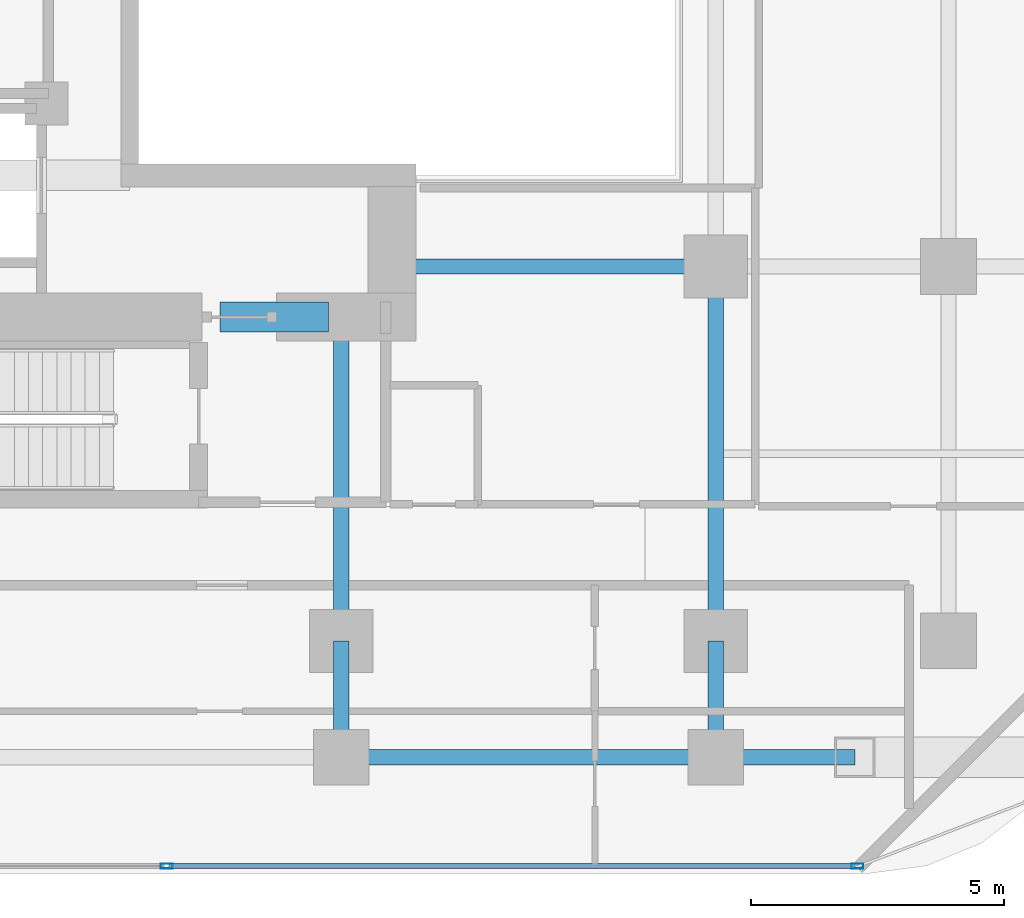
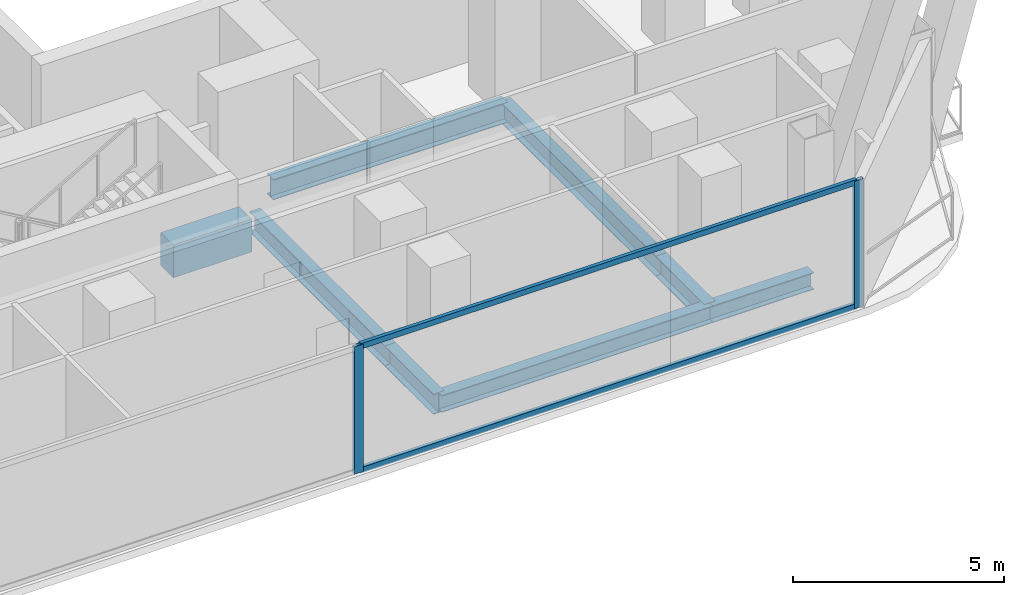
# One storey, part 9 of 32: 8 beams, 4 members, 1 element without a shape of its own.
"""IFC4 building model written with IfcOpenShell, lengths in metres."""

from ifc_helpers import new_model, si_unit, direction, frame, origin, origin_2d, place, context, subcontext, project, spatial, rectangle, hollow_rectangle, i_section, extrude, material, layer, layer_set, material_profile, profile_set, type_object, element, aggregate, save


model = new_model("IFC4")

# Units and contexts
model_context = context("Model", 3, precision=1e-05, world=origin(), true_north=direction((0.0, 1.0)))
body_context = subcontext(model_context, "Body", "Model", "MODEL_VIEW")
ifc_project = project(units=[si_unit("LENGTHUNIT", "METRE"), si_unit("AREAUNIT", "SQUARE_METRE"), si_unit("VOLUMEUNIT", "CUBIC_METRE"), si_unit("PLANEANGLEUNIT", "RADIAN"), si_unit("MASSUNIT", "GRAM", prefix="KILO")], contexts=[model_context])

# Site, building, storey
site_placement = place(None, origin())
site = spatial("IfcSite", under=ifc_project, at=site_placement, CompositionType="ELEMENT")
building_placement = place(site_placement, origin())
building = spatial("IfcBuilding", under=site, at=building_placement, Name="Khorvyn Point Tower", CompositionType="ELEMENT")
storey_placement = place(building_placement, frame((0.0, 0.0, 93.0)))
storey = spatial("IfcBuildingStorey", under=building, at=storey_placement, Name="L23", CompositionType="ELEMENT", Elevation=93.0)

# Curtain wall, members
ifc_material_1 = material(Name="Anodised aluminium 6063-T6 and laminated Low-E glass", Category="aluminium")
ifc_layer = layer(ifc_material_1, 0.18994140625)
ifc_layer_set = layer_set([ifc_layer], Name="Stick-Built Finned Residential Curtain Wall CW-SYS-02")
curtain_wall_type = type_object("IfcCurtainWallType", Name="Stick-Built Finned Residential Curtain Wall CW-SYS-02", PredefinedType="NOTDEFINED", material=ifc_layer_set)
curtain_wall_placement = place(storey_placement, origin())
curtain_wall = element("IfcCurtainWall", 1, at=curtain_wall_placement, inside=storey, type_object=curtain_wall_type, Name="Curtain Wall", PredefinedType="NOTDEFINED")
ifc_material_2 = material(Name="Anodised aluminium 6063-T6", Category="aluminium")
ifc_material_profile_1 = material_profile(ifc_material_2, hollow_rectangle(XDim=0.10009765625, YDim=0.239990234375, WallThickness=0.0048828125, at=origin_2d()))
ifc_profile_set_1 = profile_set([ifc_material_profile_1], Name="Anodised aluminium 6063-T6 ALU-MUL-100x240")
member_type_1 = type_object("IfcMemberType", Name="Anodised Aluminium 6063-T6 Mullion ALU-MUL-100x240", PredefinedType="MULLION", material=ifc_profile_set_1)
member_1_placement = place(storey_placement, frame((17.60009765625, -19.25, 0.0), z_axis=(0.0, 0.0, 1.0), x_axis=(0.0, -1.0, 0.0)))
member_1 = element("IfcMember", 2, at=member_1_placement, type_object=member_type_1, Name="Transom", PredefinedType="MULLION", context=body_context, shape_type="SweptSolid", body=[
    extrude(hollow_rectangle(XDim=0.10009765625, YDim=0.239990234375, WallThickness=0.0048828125, at=origin_2d()), origin(), (0.0, 0.0, 1.0), 3.679931640625),
])
member_2_placement = place(storey_placement, frame((3.949951171875, -19.25, 0.0), z_axis=(0.0, 0.0, 1.0), x_axis=(0.0, -1.0, 0.0)))
member_2 = element("IfcMember", 3, at=member_2_placement, type_object=member_type_1, Name="Transom", PredefinedType="MULLION", context=body_context, shape_type="SweptSolid", body=[
    extrude(hollow_rectangle(XDim=0.10009765625, YDim=0.239990234375, WallThickness=0.0048828125, at=origin_2d()), origin(), (0.0, 0.0, 1.0), 3.679931640625),
])
ifc_material_profile_2 = material_profile(ifc_material_2, hollow_rectangle(XDim=0.10009765625, YDim=0.159912109375, WallThickness=0.00439453125, at=origin_2d()))
ifc_profile_set_2 = profile_set([ifc_material_profile_2], Name="Anodised aluminium 6063-T6 ALU-TRN-100x160")
member_type_2 = type_object("IfcMemberType", Name="Anodised Aluminium 6063-T6 Transom ALU-TRN-100x160", PredefinedType="USERDEFINED", material=ifc_profile_set_2)
member_3_placement = place(storey_placement, frame((17.550048828125, -19.25, 0.050048828125), z_axis=(-1.0, 0.0, 0.0), x_axis=(0.0, -1.0, 0.0)))
member_3 = element("IfcMember", 4, at=member_3_placement, type_object=member_type_2, Name="Transom", ObjectType="TRANSOM", PredefinedType="USERDEFINED", context=body_context, shape_type="SweptSolid", body=[
    extrude(hollow_rectangle(XDim=0.10009765625, YDim=0.159912109375, WallThickness=0.00439453125, at=origin_2d()), origin(), (0.0, 0.0, 1.0), 13.550048828125),
])
member_4_placement = place(storey_placement, frame((17.550048828125, -19.25, 3.6298828125), z_axis=(-1.0, 0.0, 0.0), x_axis=(0.0, -1.0, 0.0)))
member_4 = element("IfcMember", 5, at=member_4_placement, type_object=member_type_2, Name="Transom", ObjectType="TRANSOM", PredefinedType="USERDEFINED", context=body_context, shape_type="SweptSolid", body=[
    extrude(hollow_rectangle(XDim=0.10009765625, YDim=0.159912109375, WallThickness=0.00439453125, at=origin_2d()), origin(), (0.0, 0.0, 1.0), 13.550048828125),
])
aggregate(curtain_wall, [member_1, member_2, member_3, member_4])

# Beams
ifc_material_3 = material(Name="Concrete C50/60", Category="concrete")
ifc_material_profile_3 = material_profile(ifc_material_3, rectangle(XDim=0.60009765625, YDim=0.949951171875, at=origin_2d()))
ifc_profile_set_3 = profile_set([ifc_material_profile_3], Name="Concrete C50/60 RC600x950")
beam_type_1 = type_object("IfcBeamType", Name="Concrete C50/60 Beam RC600x950", PredefinedType="BEAM", material=ifc_profile_set_3)
beam_1_placement = place(storey_placement, frame((5.0, -8.39990234375, -0.695068359375), z_axis=(1.0, 0.0, 0.0), x_axis=(0.0, 1.0, 0.0)))
element("IfcBeam", 6, at=beam_1_placement, inside=storey, type_object=beam_type_1, Name="L23 Core Southeast Portal Coupling Beam", PredefinedType="BEAM", context=body_context, shape_type="SweptSolid", body=[
    extrude(rectangle(XDim=0.60009765625, YDim=0.949951171875, at=origin_2d()), origin(), (0.0, 0.0, 1.0), 2.14990234375),
])
ifc_material_4 = material(Name="Steel S355", Category="steel")
ifc_material_profile_4 = material_profile(ifc_material_4, i_section(OverallWidth=0.300048828125, OverallDepth=0.587890625, WebThickness=0.011962890625, FlangeThickness=0.02001953125, at=origin_2d()))
ifc_profile_set_4 = profile_set([ifc_material_profile_4], Name="Steel S355 H588x300x12x20")
beam_type_2 = type_object("IfcBeamType", Name="Steel S355 Beam H588x300x12x20", PredefinedType="BEAM", material=ifc_profile_set_4)
beam_2_placement = place(storey_placement, frame((8.39990234375, -7.39990234375, -0.513916015625), z_axis=(1.0, 0.0, 0.0), x_axis=(0.0, 1.0, 0.0)))
element("IfcBeam", 7, at=beam_2_placement, inside=storey, type_object=beam_type_2, Name="Beam", PredefinedType="BEAM", context=body_context, shape_type="SweptSolid", body=[
    extrude(i_section(OverallWidth=0.300048828125, OverallDepth=0.587890625, WebThickness=0.011962890625, FlangeThickness=0.02001953125, at=origin_2d()), origin(), (0.0, 0.0, 1.0), 6.400146484375),
])
beam_3_placement = place(storey_placement, frame((14.800048828125, -17.10009765625, -0.513916015625), z_axis=(0.0, 1.0, 0.0), x_axis=(-1.0, 0.0, 0.0)))
element("IfcBeam", 8, at=beam_3_placement, inside=storey, type_object=beam_type_2, Name="Beam", PredefinedType="BEAM", context=body_context, shape_type="SweptSolid", body=[
    extrude(i_section(OverallWidth=0.300048828125, OverallDepth=0.587890625, WebThickness=0.011962890625, FlangeThickness=0.02001953125, at=origin_2d()), origin(), (0.0, 0.0, 1.0), 2.300048828125),
])
beam_4_placement = place(storey_placement, frame((14.800048828125, -14.800048828125, -0.513916015625), z_axis=(0.0, 1.0, 0.0), x_axis=(-1.0, 0.0, 0.0)))
element("IfcBeam", 9, at=beam_4_placement, inside=storey, type_object=beam_type_2, Name="Beam", PredefinedType="BEAM", context=body_context, shape_type="SweptSolid", body=[
    extrude(i_section(OverallWidth=0.300048828125, OverallDepth=0.587890625, WebThickness=0.011962890625, FlangeThickness=0.02001953125, at=origin_2d()), origin(), (0.0, 0.0, 1.0), 7.400146484375),
])
beam_5_placement = place(storey_placement, frame((7.39990234375, -17.10009765625, -0.513916015625), z_axis=(0.0, 1.0, 0.0), x_axis=(-1.0, 0.0, 0.0)))
element("IfcBeam", 10, at=beam_5_placement, inside=storey, type_object=beam_type_2, Name="Beam", PredefinedType="BEAM", context=body_context, shape_type="SweptSolid", body=[
    extrude(i_section(OverallWidth=0.300048828125, OverallDepth=0.587890625, WebThickness=0.011962890625, FlangeThickness=0.02001953125, at=origin_2d()), origin(), (0.0, 0.0, 1.0), 2.300048828125),
])
beam_6_placement = place(storey_placement, frame((7.39990234375, -14.800048828125, -0.513916015625), z_axis=(0.0, 1.0, 0.0), x_axis=(-1.0, 0.0, 0.0)))
element("IfcBeam", 11, at=beam_6_placement, inside=storey, type_object=beam_type_2, Name="Beam", PredefinedType="BEAM", context=body_context, shape_type="SweptSolid", body=[
    extrude(i_section(OverallWidth=0.300048828125, OverallDepth=0.587890625, WebThickness=0.011962890625, FlangeThickness=0.02001953125, at=origin_2d()), origin(), (0.0, 0.0, 1.0), 6.400146484375),
])
ifc_material_profile_5 = material_profile(ifc_material_4, i_section(OverallWidth=0.300048828125, OverallDepth=0.488037109375, WebThickness=0.010986328125, FlangeThickness=0.01806640625, at=origin_2d()))
ifc_profile_set_5 = profile_set([ifc_material_profile_5], Name="Steel S355 H488x300x11x18")
beam_type_3 = type_object("IfcBeamType", Name="Steel S355 Spandrel H488x300x11x18", PredefinedType="SPANDREL", material=ifc_profile_set_5)
beam_7_placement = place(storey_placement, frame((7.39990234375, -17.10009765625, -0.464111328125), z_axis=(1.0, 0.0, 0.0), x_axis=(0.0, 1.0, 0.0)))
element("IfcBeam", 12, at=beam_7_placement, inside=storey, type_object=beam_type_3, Name="Beam", PredefinedType="SPANDREL", context=body_context, shape_type="SweptSolid", body=[
    extrude(i_section(OverallWidth=0.300048828125, OverallDepth=0.488037109375, WebThickness=0.010986328125, FlangeThickness=0.01806640625, at=origin_2d()), origin(), (0.0, 0.0, 1.0), 7.400146484375),
])
beam_8_placement = place(storey_placement, frame((14.800048828125, -17.10009765625, -0.464111328125), z_axis=(1.0, 0.0, 0.0), x_axis=(0.0, 1.0, 0.0)))
element("IfcBeam", 13, at=beam_8_placement, inside=storey, type_object=beam_type_3, Name="Beam", PredefinedType="SPANDREL", context=body_context, shape_type="SweptSolid", body=[
    extrude(i_section(OverallWidth=0.300048828125, OverallDepth=0.488037109375, WebThickness=0.010986328125, FlangeThickness=0.01806640625, at=origin_2d()), origin(), (0.0, 0.0, 1.0), 2.75),
])

save(model, "model.ifc")
